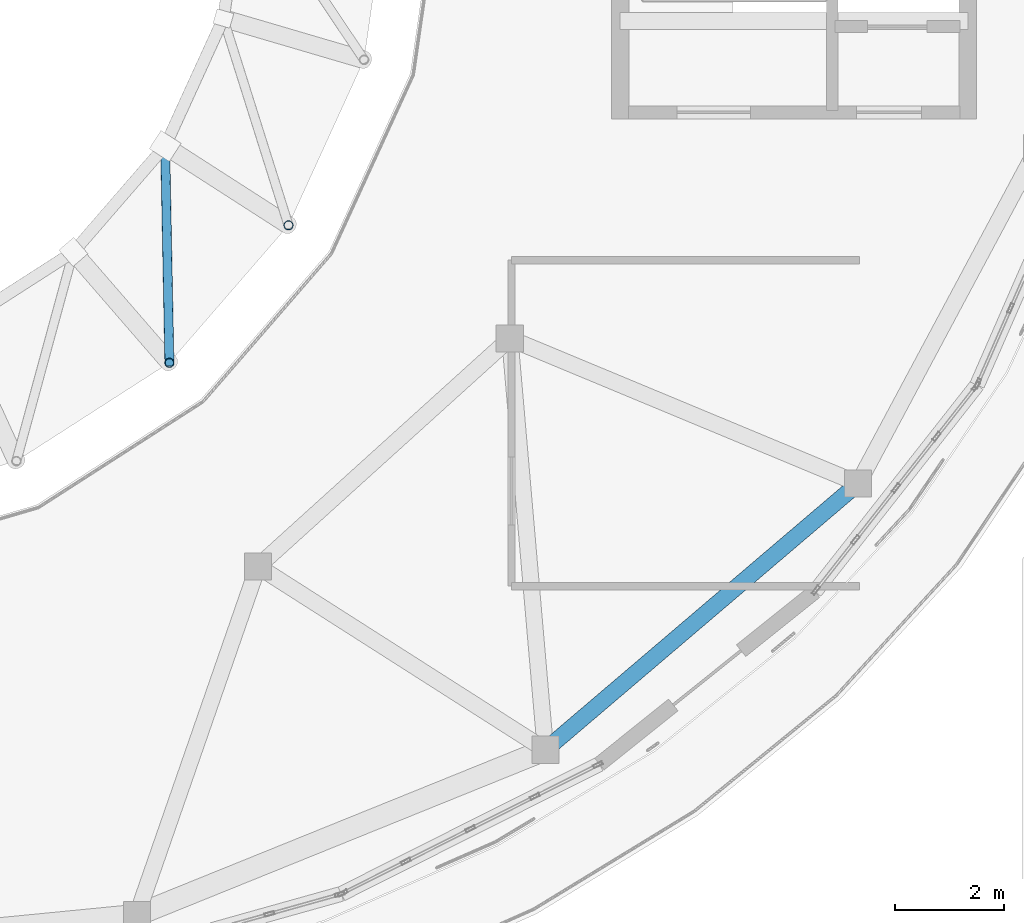
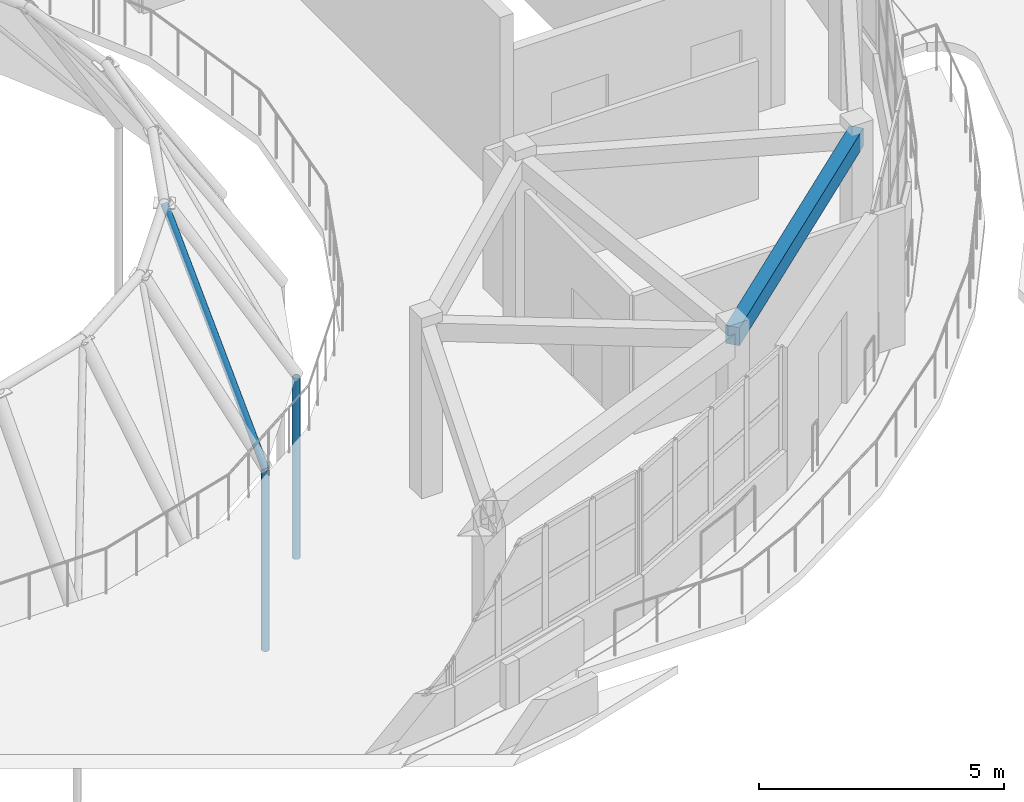
# One storey, part 15 of 38: 3 members, 1 beam.
"""IFC4 building model written with IfcOpenShell, lengths in metres."""

from ifc_helpers import new_model, si_unit, direction, frame, origin, origin_2d, place, context, subcontext, project, spatial, rectangle, hollow_circle, extrude, material, material_profile, profile_set, type_object, element, save


model = new_model("IFC4")

# Units and contexts
model_context = context("Model", 3, precision=1e-05, world=origin(), true_north=direction((0.0, 1.0)))
body_context = subcontext(model_context, "Body", "Model", "MODEL_VIEW")
ifc_project = project(units=[si_unit("LENGTHUNIT", "METRE"), si_unit("AREAUNIT", "SQUARE_METRE"), si_unit("VOLUMEUNIT", "CUBIC_METRE"), si_unit("PLANEANGLEUNIT", "RADIAN"), si_unit("MASSUNIT", "GRAM", prefix="KILO")], contexts=[model_context])

# Site, building, storey
site_placement = place(None, origin())
site = spatial("IfcSite", under=ifc_project, at=site_placement, CompositionType="ELEMENT")
building_placement = place(site_placement, origin())
building = spatial("IfcBuilding", under=site, at=building_placement, Name="Pelvatis Terrace Science Centre", CompositionType="ELEMENT")
storey_placement = place(building_placement, frame((0.0, 0.0, 24.300048828125)))
storey = spatial("IfcBuildingStorey", under=building, at=storey_placement, Name="L05", CompositionType="ELEMENT", Elevation=24.300048828125)

# Beam
ifc_material_1 = material(Name="Concrete C35/45", Category="concrete")
ifc_material_profile_1 = material_profile(ifc_material_1, rectangle(XDim=0.300048828125, YDim=0.449951171875, at=origin_2d()), Name="RC-BM 300x450")
ifc_profile_set_1 = profile_set([ifc_material_profile_1], Name="Concrete C35/45")
beam_type = type_object("IfcBeamType", Name="BM-RC-300x450", PredefinedType="BEAM", material=ifc_profile_set_1)
beam_placement = place(storey_placement, frame((123.82421875, 69.786376953125, 4.034912109375), z_axis=(0.761283967921, 0.648418630351, 0.0), x_axis=(-0.648418630351, 0.761283967921, 0.0)))
element("IfcBeam", 1, at=beam_placement, inside=storey, type_object=beam_type, Name="Beam BM-L05-3141", PredefinedType="BEAM", context=body_context, shape_type="SweptSolid", body=[
    extrude(rectangle(XDim=0.300048828125, YDim=0.449951171875, at=origin_2d()), origin(), (0.0, 0.0, 1.0), 7.56005859375),
])

# Members
ifc_material_2 = material(Name="Structural steel S355", Category="steel")
ifc_material_profile_2 = material_profile(ifc_material_2, hollow_circle(Radius=0.084228515625, WallThickness=0.00634765625, at=origin_2d()), Name="CHS 168.3x6.3")
ifc_profile_set_2 = profile_set([ifc_material_profile_2], Name="Structural steel S355")
member_type_1 = type_object("IfcMemberType", Name="MEM-BRC-CHS168", PredefinedType="BRACE", material=ifc_profile_set_2)
member_placement = place(storey_placement, frame((116.9033203125, 76.909912109375, -1.1845703125), z_axis=(-0.013463795929, 0.685479180273, 0.727967732535), x_axis=(-0.999807162776, -0.019637649101, 0.0)))
element("IfcMember", 2, at=member_placement, inside=storey, type_object=member_type_1, Name="Planetarium dome lateral brace 2.20", PredefinedType="BRACE", context=body_context, shape_type="SweptSolid", body=[
    extrude(hollow_circle(Radius=0.084228515625, WallThickness=0.00634765625, at=origin_2d()), origin(), (0.0, 0.0, 1.0), 5.82080078125),
])
ifc_material_3 = material(Name="Structural steel S355", Category="steel")
ifc_material_profile_3 = material_profile(ifc_material_3, hollow_circle(Radius=0.084228515625, WallThickness=0.00634765625, at=origin_2d()), Name="CHS 168.3x6.3")
ifc_profile_set_3 = profile_set([ifc_material_profile_3], Name="Structural steel S355")
member_type_2 = type_object("IfcMemberType", Name="MEM-STR-CHS168", PredefinedType="STRUT", material=ifc_profile_set_3)
for number, where, z_axis, x_axis, name in (
    (3, (116.9033203125, 76.909912109375, -5.699951171875), (0.0, 0.0, 1.0), (1.0, 0.0, 0.0), "Dome arch vertical web post 1.20"),
    (4, (119.095703125, 79.4404296875, -5.699951171875), (0.0, 0.0, 1.0), (1.0, 0.0, 0.0), "Dome arch vertical web post 1.21"),
):
    element("IfcMember", number, at=place(storey_placement, frame(where, z_axis=z_axis, x_axis=x_axis)), inside=storey, type_object=member_type_2, Name=name, PredefinedType="STRUT", context=body_context, shape_type="SweptSolid", body=[
        extrude(hollow_circle(Radius=0.084228515625, WallThickness=0.00634765625, at=origin_2d()), origin(), (0.0, 0.0, 1.0), 4.515380859375),
    ])

save(model, "model.ifc")
